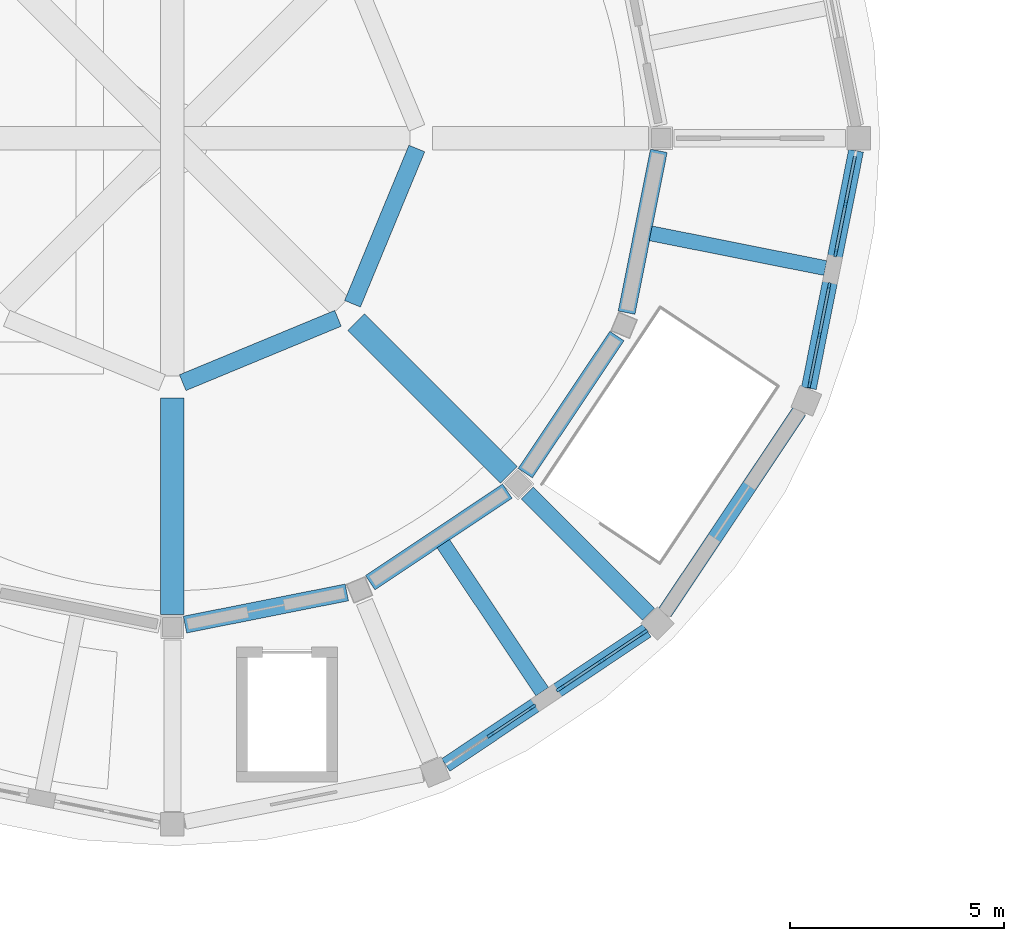
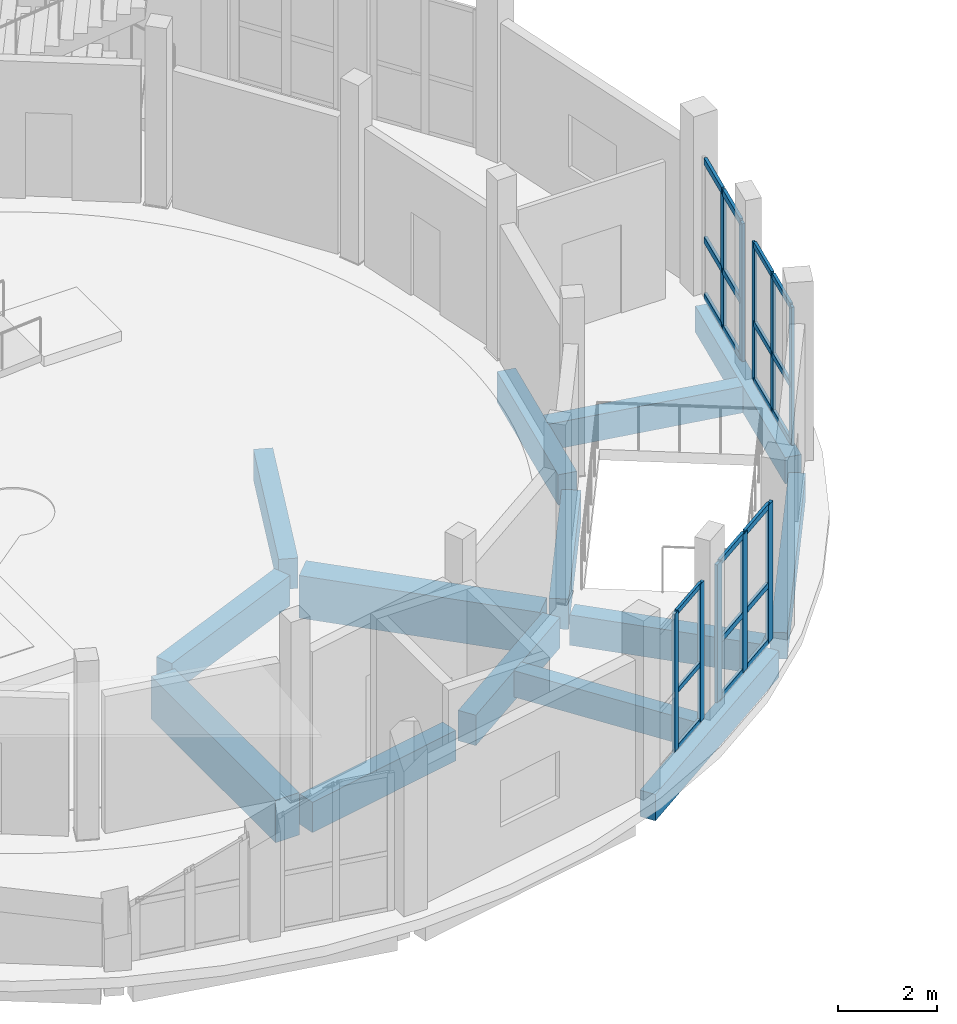
# One storey, part 38 of 92: 31 members, 14 beams, 4 elements without a shape of their own.
"""IFC4 building model written with IfcOpenShell, lengths in metres."""

from ifc_helpers import new_model, si_unit, direction, frame, origin, origin_2d, place, context, subcontext, project, spatial, rectangle, extrude, material, layer, layer_set, material_profile, profile_set, type_object, element, aggregate, save


model = new_model("IFC4")

# Units and contexts
model_context = context("Model", 3, precision=1e-05, world=origin(), true_north=direction((0.0, 1.0)))
body_context = subcontext(model_context, "Body", "Model", "MODEL_VIEW")
ifc_project = project(units=[si_unit("LENGTHUNIT", "METRE"), si_unit("AREAUNIT", "SQUARE_METRE"), si_unit("VOLUMEUNIT", "CUBIC_METRE"), si_unit("PLANEANGLEUNIT", "RADIAN"), si_unit("MASSUNIT", "GRAM", prefix="KILO")], contexts=[model_context])

# Site, building, storey
site_placement = place(None, origin())
site = spatial("IfcSite", under=ifc_project, at=site_placement, CompositionType="ELEMENT")
building_placement = place(site_placement, origin())
building = spatial("IfcBuilding", under=site, at=building_placement, Name="Caldaven Crescent School", CompositionType="ELEMENT")
storey_placement = place(building_placement, origin())
storey = spatial("IfcBuildingStorey", under=building, at=storey_placement, Name="L00", CompositionType="ELEMENT", Elevation=0.0)

# Beams
ifc_material_1 = material(Name="Concrete C30/37", Category="concrete")
ifc_material_profile_1 = material_profile(ifc_material_1, rectangle(XDim=0.35009765625, YDim=0.64990234375, at=origin_2d()), Name="RC 350x650")
ifc_profile_set_1 = profile_set([ifc_material_profile_1], Name="Concrete C30/37")
beam_type_1 = type_object("IfcBeamType", Name="BM-RC35", PredefinedType="BEAM", material=ifc_profile_set_1)
beam_1_placement = place(storey_placement, frame((29.8173828125, 89.04541015625, -0.5849609375), z_axis=(0.55555487461, -0.831479874258, 0.0), x_axis=(0.831479874258, 0.55555487461, 0.0)))
element("IfcBeam", 1, at=beam_1_placement, inside=storey, type_object=beam_type_1, Name="JS-V2-L00-0279", PredefinedType="BEAM", context=body_context, shape_type="SweptSolid", body=[
    extrude(rectangle(XDim=0.35009765625, YDim=0.64990234375, at=origin_2d()), origin(), (0.0, 0.0, 1.0), 4.151611328125),
])
beam_2_placement = place(storey_placement, frame((34.65234375, 96.28173828125, -0.5849609375), z_axis=(0.980781447665, -0.195109589505, 0.0), x_axis=(0.195109589505, 0.980781447665, 0.0)))
element("IfcBeam", 2, at=beam_2_placement, inside=storey, type_object=beam_type_1, Name="JS-V2-L00-0287", PredefinedType="BEAM", context=body_context, shape_type="SweptSolid", body=[
    extrude(rectangle(XDim=0.35009765625, YDim=0.64990234375, at=origin_2d()), origin(), (0.0, 0.0, 1.0), 4.15185546875),
])
ifc_material_2 = material(Name="Concrete C35/45", Category="concrete")
ifc_material_profile_2 = material_profile(ifc_material_2, rectangle(XDim=0.39990234375, YDim=0.75, at=origin_2d()), Name="RC 400x750")
ifc_profile_set_2 = profile_set([ifc_material_profile_2], Name="Concrete C35/45")
beam_type_2 = type_object("IfcBeamType", Name="BM-RC40", PredefinedType="BEAM", material=ifc_profile_set_2)
beam_3_placement = place(storey_placement, frame((23.740234375, 92.799560546875, -0.635009765625), z_axis=(0.923883966899, 0.382672726631, 0.0), x_axis=(-0.382672726631, 0.923883966899, 0.0)))
element("IfcBeam", 3, at=beam_3_placement, inside=storey, type_object=beam_type_2, Name="BM-V2-L00-0271", PredefinedType="BEAM", context=body_context, shape_type="SweptSolid", body=[
    extrude(rectangle(XDim=0.39990234375, YDim=0.75, at=origin_2d()), origin(), (0.0, 0.0, 1.0), 3.919189453125),
])
beam_4_placement = place(storey_placement, frame((23.794189453125, 87.158447265625, -0.635009765625), z_axis=(0.980785113937, 0.195091158895, 0.0), x_axis=(-0.195091158895, 0.980785113937, 0.0)))
element("IfcBeam", 4, at=beam_4_placement, inside=storey, type_object=beam_type_2, Name="BM-V2-L00-0274", PredefinedType="BEAM", context=body_context, shape_type="SweptSolid", body=[
    extrude(rectangle(XDim=0.39990234375, YDim=0.75, at=origin_2d()), origin(), (0.0, 0.0, 1.0), 3.84814453125),
])
beam_5_placement = place(storey_placement, frame((28.112060546875, 88.134521484375, -0.635009765625), z_axis=(0.831483711162, 0.555549132006, 0.0), x_axis=(-0.555549132006, 0.831483711162, 0.0)))
element("IfcBeam", 5, at=beam_5_placement, inside=storey, type_object=beam_type_2, Name="BM-V2-L00-0277", PredefinedType="BEAM", context=body_context, shape_type="SweptSolid", body=[
    extrude(rectangle(XDim=0.39990234375, YDim=0.75, at=origin_2d()), origin(), (0.0, 0.0, 1.0), 3.847900390625),
])
beam_6_placement = place(storey_placement, frame((27.70068359375, 94.638916015625, -0.635009765625), z_axis=(0.382672726631, 0.923883966899, 0.0), x_axis=(-0.923883966899, 0.382672726631, 0.0)))
element("IfcBeam", 6, at=beam_6_placement, inside=storey, type_object=beam_type_2, Name="BM-V2-L00-0280", PredefinedType="BEAM", context=body_context, shape_type="SweptSolid", body=[
    extrude(rectangle(XDim=0.39990234375, YDim=0.75, at=origin_2d()), origin(), (0.0, 0.0, 1.0), 3.919189453125),
])
beam_7_placement = place(storey_placement, frame((31.773193359375, 90.226806640625, -0.635009765625), z_axis=(0.707106781187, -0.707106781187, 0.0), x_axis=(0.707106781187, 0.707106781187, 0.0)))
element("IfcBeam", 7, at=beam_7_placement, inside=storey, type_object=beam_type_2, Name="BM-V2-L00-0282", PredefinedType="BEAM", context=body_context, shape_type="SweptSolid", body=[
    extrude(rectangle(XDim=0.39990234375, YDim=0.75, at=origin_2d()), origin(), (0.0, 0.0, 1.0), 4.0),
])
beam_8_placement = place(storey_placement, frame((31.727783203125, 90.6884765625, -0.635009765625), z_axis=(0.555549132006, 0.831483711162, 0.0), x_axis=(-0.831483711162, 0.555549132006, 0.0)))
element("IfcBeam", 8, at=beam_8_placement, inside=storey, type_object=beam_type_2, Name="BM-V2-L00-0283", PredefinedType="BEAM", context=body_context, shape_type="SweptSolid", body=[
    extrude(rectangle(XDim=0.39990234375, YDim=0.75, at=origin_2d()), origin(), (0.0, 0.0, 1.0), 3.847900390625),
])
beam_9_placement = place(storey_placement, frame((34.0908203125, 94.431640625, -0.635009765625), z_axis=(0.195091158895, 0.980785113937, 0.0), x_axis=(-0.980785113937, 0.195091158895, 0.0)))
element("IfcBeam", 9, at=beam_9_placement, inside=storey, type_object=beam_type_2, Name="BM-V2-L00-0285", PredefinedType="BEAM", context=body_context, shape_type="SweptSolid", body=[
    extrude(rectangle(XDim=0.39990234375, YDim=0.75, at=origin_2d()), origin(), (0.0, 0.0, 1.0), 3.84814453125),
])
ifc_material_profile_3 = material_profile(ifc_material_2, rectangle(XDim=0.550048828125, YDim=1.050048828125, at=origin_2d()), Name="RC 550x1050")
ifc_profile_set_3 = profile_set([ifc_material_profile_3], Name="Concrete C35/45")
beam_type_3 = type_object("IfcBeamType", Name="BM-RC55", PredefinedType="BEAM", material=ifc_profile_set_3)
beam_10_placement = place(storey_placement, frame((23.5, 92.43994140625, -0.784912109375), z_axis=(0.0, -1.0, 0.0), x_axis=(1.0, 0.0, 0.0)))
element("IfcBeam", 10, at=beam_10_placement, inside=storey, type_object=beam_type_3, Name="BM-V2-L00-0272", PredefinedType="BEAM", context=body_context, shape_type="SweptSolid", body=[
    extrude(rectangle(XDim=0.550048828125, YDim=1.050048828125, at=origin_2d()), origin(), (0.0, 0.0, 1.0), 5.0400390625),
])
beam_11_placement = place(storey_placement, frame((27.78515625, 94.21484375, -0.784912109375), z_axis=(0.707106781187, -0.707106781187, 0.0), x_axis=(0.707106781187, 0.707106781187, 0.0)))
element("IfcBeam", 11, at=beam_11_placement, inside=storey, type_object=beam_type_3, Name="BM-V2-L00-0281", PredefinedType="BEAM", context=body_context, shape_type="SweptSolid", body=[
    extrude(rectangle(XDim=0.550048828125, YDim=1.050048828125, at=origin_2d()), origin(), (0.0, 0.0, 1.0), 5.039794921875),
])

# Curtain wall, members
ifc_material_3 = material(Name="Anodised aluminium AA 6063-T6 and low-E double glazing", Category="aluminium")
ifc_layer_1 = layer(ifc_material_3, 0.22998046875)
ifc_layer_set_1 = layer_set([ifc_layer_1], Name="Anodised aluminium AA 6063-T6 and low-E double glazing")
curtain_wall_type_1 = type_object("IfcCurtainWallType", Name="CW-SYS4", PredefinedType="NOTDEFINED", material=ifc_layer_set_1)
curtain_wall_1_placement = place(storey_placement, origin())
curtain_wall_1 = element("IfcCurtainWall", 12, at=curtain_wall_1_placement, inside=storey, type_object=curtain_wall_type_1, Name="CW-L00-055", PredefinedType="NOTDEFINED")
ifc_material_4 = material(Name="Anodised aluminium AA 6063-T6", Category="aluminium")
ifc_material_profile_4 = material_profile(ifc_material_4, rectangle(XDim=0.06005859375, YDim=0.14990234375, at=origin_2d()), Name="CWM 60x150")
ifc_profile_set_4 = profile_set([ifc_material_profile_4], Name="Anodised aluminium AA 6063-T6")
member_type_1 = type_object("IfcMemberType", Name="CWM-T1", PredefinedType="MULLION", material=ifc_profile_set_4)
member_1_placement = place(storey_placement, frame((38.358154296875, 92.759521484375, 0.0), z_axis=(0.0, 0.0, 1.0), x_axis=(-0.980785941636, 0.195086997747, 0.0)))
member_1 = element("IfcMember", 13, at=member_1_placement, type_object=member_type_1, Name="CW4 mullion 1", PredefinedType="MULLION", context=body_context, shape_type="SweptSolid", body=[
    extrude(rectangle(XDim=0.06005859375, YDim=0.14990234375, at=origin_2d()), origin(), (0.0, 0.0, 1.0), 3.39990234375),
])
member_2_placement = place(storey_placement, frame((38.586669921875, 93.90771484375, 0.0), z_axis=(0.0, 0.0, 1.0), x_axis=(-0.980785941636, 0.195086997747, 0.0)))
member_2 = element("IfcMember", 14, at=member_2_placement, type_object=member_type_1, Name="CW4 mullion 2", PredefinedType="MULLION", context=body_context, shape_type="SweptSolid", body=[
    extrude(rectangle(XDim=0.06005859375, YDim=0.14990234375, at=origin_2d()), origin(), (0.0, 0.0, 1.0), 3.39990234375),
])
member_3_placement = place(storey_placement, frame((38.81494140625, 95.055908203125, 0.0), z_axis=(0.0, 0.0, 1.0), x_axis=(-0.980785941636, 0.195086997747, 0.0)))
member_3 = element("IfcMember", 15, at=member_3_placement, type_object=member_type_1, Name="CW4 mullion 3", PredefinedType="MULLION", context=body_context, shape_type="SweptSolid", body=[
    extrude(rectangle(XDim=0.06005859375, YDim=0.14990234375, at=origin_2d()), origin(), (0.0, 0.0, 1.0), 3.39990234375),
])

ifc_layer_2 = layer(ifc_material_3, 0.18994140625)
ifc_layer_set_2 = layer_set([ifc_layer_2], Name="Anodised aluminium AA 6063-T6 and low-E double glazing")
curtain_wall_type_2 = type_object("IfcCurtainWallType", Name="CW-SYS2", PredefinedType="NOTDEFINED", material=ifc_layer_set_2)
curtain_wall_2_placement = place(storey_placement, origin())
curtain_wall_2 = element("IfcCurtainWall", 16, at=curtain_wall_2_placement, inside=storey, type_object=curtain_wall_type_2, Name="CW-L00-053", PredefinedType="NOTDEFINED")
ifc_material_profile_5 = material_profile(ifc_material_4, rectangle(XDim=0.06494140625, YDim=0.179931640625, at=origin_2d()), Name="CWM 65x180")
ifc_profile_set_5 = profile_set([ifc_material_profile_5], Name="Anodised aluminium AA 6063-T6")
member_type_2 = type_object("IfcMemberType", Name="CWM-T2", PredefinedType="MULLION", material=ifc_profile_set_5)
member_4_placement = place(storey_placement, frame((30.920654296875, 84.5849609375, 0.0), z_axis=(0.0, 0.0, 1.0), x_axis=(-0.555569561758, 0.831470060825, 0.0)))
member_4 = element("IfcMember", 17, at=member_4_placement, type_object=member_type_2, Name="CW2 mullion 2", PredefinedType="MULLION", context=body_context, shape_type="SweptSolid", body=[
    extrude(rectangle(XDim=0.06494140625, YDim=0.179931640625, at=origin_2d()), origin(), (0.0, 0.0, 1.0), 3.39990234375),
])
member_5_placement = place(storey_placement, frame((31.891845703125, 85.234130859375, 0.0), z_axis=(0.0, 0.0, 1.0), x_axis=(-0.555569561758, 0.831470060825, 0.0)))
member_5 = element("IfcMember", 18, at=member_5_placement, type_object=member_type_2, Name="CW2 mullion 3", PredefinedType="MULLION", context=body_context, shape_type="SweptSolid", body=[
    extrude(rectangle(XDim=0.06494140625, YDim=0.179931640625, at=origin_2d()), origin(), (0.0, 0.0, 1.0), 3.39990234375),
])

ifc_layer_3 = layer(ifc_material_3, 0.169921875)
ifc_layer_set_3 = layer_set([ifc_layer_3], Name="Anodised aluminium AA 6063-T6 and low-E double glazing")
curtain_wall_type_3 = type_object("IfcCurtainWallType", Name="CW-SYS1", PredefinedType="NOTDEFINED", material=ifc_layer_set_3)
curtain_wall_3_placement = place(storey_placement, origin())
curtain_wall_3 = element("IfcCurtainWall", 19, at=curtain_wall_3_placement, inside=storey, type_object=curtain_wall_type_3, Name="CW-L00-056", PredefinedType="NOTDEFINED")
member_6_placement = place(storey_placement, frame((38.967529296875, 95.823486328125, 0.0), z_axis=(0.0, 0.0, 1.0), x_axis=(-0.980785144861, 0.19509100343, 0.0)))
member_6 = element("IfcMember", 20, at=member_6_placement, type_object=member_type_2, Name="CW1 mullion 1", PredefinedType="MULLION", context=body_context, shape_type="SweptSolid", body=[
    extrude(rectangle(XDim=0.06494140625, YDim=0.179931640625, at=origin_2d()), origin(), (0.0, 0.0, 1.0), 3.39990234375),
])
member_7_placement = place(storey_placement, frame((39.195556640625, 96.96923828125, 0.0), z_axis=(0.0, 0.0, 1.0), x_axis=(-0.980785144861, 0.19509100343, 0.0)))
member_7 = element("IfcMember", 21, at=member_7_placement, type_object=member_type_2, Name="CW1 mullion 2", PredefinedType="MULLION", context=body_context, shape_type="SweptSolid", body=[
    extrude(rectangle(XDim=0.06494140625, YDim=0.179931640625, at=origin_2d()), origin(), (0.0, 0.0, 1.0), 3.39990234375),
])

ifc_layer_4 = layer(ifc_material_3, 0.2099609375)
ifc_layer_set_4 = layer_set([ifc_layer_4], Name="Anodised aluminium AA 6063-T6 and low-E double glazing")
curtain_wall_type_4 = type_object("IfcCurtainWallType", Name="CW-SYS3", PredefinedType="NOTDEFINED", material=ifc_layer_set_4)
curtain_wall_4_placement = place(storey_placement, origin())
curtain_wall_4 = element("IfcCurtainWall", 22, at=curtain_wall_4_placement, inside=storey, type_object=curtain_wall_type_4, Name="CW-L00-054", PredefinedType="NOTDEFINED")
ifc_material_profile_6 = material_profile(ifc_material_4, rectangle(XDim=0.070068359375, YDim=0.2099609375, at=origin_2d()), Name="CWM 70x210")
ifc_profile_set_6 = profile_set([ifc_material_profile_6], Name="Anodised aluminium AA 6063-T6")
member_type_3 = type_object("IfcMemberType", Name="CWM-T3", PredefinedType="MULLION", material=ifc_profile_set_6)
member_8_placement = place(storey_placement, frame((32.546630859375, 85.671630859375, 0.0), z_axis=(0.0, 0.0, 1.0), x_axis=(-0.555572440609, 0.831468137234, 0.0)))
member_8 = element("IfcMember", 23, at=member_8_placement, type_object=member_type_3, Name="CW3 mullion 1", PredefinedType="MULLION", context=body_context, shape_type="SweptSolid", body=[
    extrude(rectangle(XDim=0.070068359375, YDim=0.2099609375, at=origin_2d()), origin(), (0.0, 0.0, 1.0), 3.39990234375),
])
member_9_placement = place(storey_placement, frame((33.51611328125, 86.319091796875, 0.0), z_axis=(0.0, 0.0, 1.0), x_axis=(-0.555572440609, 0.831468137234, 0.0)))
member_9 = element("IfcMember", 24, at=member_9_placement, type_object=member_type_3, Name="CW3 mullion 2", PredefinedType="MULLION", context=body_context, shape_type="SweptSolid", body=[
    extrude(rectangle(XDim=0.070068359375, YDim=0.2099609375, at=origin_2d()), origin(), (0.0, 0.0, 1.0), 3.39990234375),
])
member_10_placement = place(storey_placement, frame((34.4853515625, 86.966796875, 0.0), z_axis=(0.0, 0.0, 1.0), x_axis=(-0.555572440609, 0.831468137234, 0.0)))
member_10 = element("IfcMember", 25, at=member_10_placement, type_object=member_type_3, Name="CW3 mullion 3", PredefinedType="MULLION", context=body_context, shape_type="SweptSolid", body=[
    extrude(rectangle(XDim=0.070068359375, YDim=0.2099609375, at=origin_2d()), origin(), (0.0, 0.0, 1.0), 3.39990234375),
])

# Member
ifc_material_profile_7 = material_profile(ifc_material_4, rectangle(XDim=0.06005859375, YDim=0.1201171875, at=origin_2d()), Name="CWT 60x120")
ifc_profile_set_7 = profile_set([ifc_material_profile_7], Name="Anodised aluminium AA 6063-T6")
member_type_4 = type_object("IfcMemberType", Name="CWT-T1", PredefinedType="USERDEFINED", material=ifc_profile_set_7)
member_11_placement = place(storey_placement, frame((30.94775390625, 84.60302734375, 0.030029296875), z_axis=(0.831402868184, 0.555670109665, 0.0), x_axis=(-0.555670109665, 0.831402868184, 0.0)))
member_11 = element("IfcMember", 26, at=member_11_placement, type_object=member_type_4, Name="CW2 transom 2.1", ObjectType="TRANSOM", PredefinedType="USERDEFINED", context=body_context, shape_type="SweptSolid", body=[
    extrude(rectangle(XDim=0.06005859375, YDim=0.1201171875, at=origin_2d()), origin(), (0.0, 0.0, 1.0), 1.103271484375),
])

member_12_placement = place(storey_placement, frame((30.94775390625, 84.60302734375, 1.427978515625), z_axis=(0.831402868184, 0.555670109665, 0.0), x_axis=(-0.555670109665, 0.831402868184, 0.0)))
member_12 = element("IfcMember", 27, at=member_12_placement, type_object=member_type_4, Name="CW2 transom 2.2", ObjectType="TRANSOM", PredefinedType="USERDEFINED", context=body_context, shape_type="SweptSolid", body=[
    extrude(rectangle(XDim=0.06005859375, YDim=0.1201171875, at=origin_2d()), origin(), (0.0, 0.0, 1.0), 1.103271484375),
])

member_13_placement = place(storey_placement, frame((30.94775390625, 84.60302734375, 3.3701171875), z_axis=(0.831402868184, 0.555670109665, 0.0), x_axis=(-0.555670109665, 0.831402868184, 0.0)))
member_13 = element("IfcMember", 28, at=member_13_placement, type_object=member_type_4, Name="CW2 transom 2.3", ObjectType="TRANSOM", PredefinedType="USERDEFINED", context=body_context, shape_type="SweptSolid", body=[
    extrude(rectangle(XDim=0.06005859375, YDim=0.1201171875, at=origin_2d()), origin(), (0.0, 0.0, 1.0), 1.103271484375),
])

aggregate(curtain_wall_2, [member_4, member_5, member_11, member_12, member_13])

ifc_material_profile_8 = material_profile(ifc_material_4, rectangle(XDim=0.06494140625, YDim=0.139892578125, at=origin_2d()), Name="CWT 65x140")
ifc_profile_set_8 = profile_set([ifc_material_profile_8], Name="Anodised aluminium AA 6063-T6")
member_type_5 = type_object("IfcMemberType", Name="CWT-T2", PredefinedType="USERDEFINED", material=ifc_profile_set_8)
member_14_placement = place(storey_placement, frame((32.575927734375, 85.69091796875, 0.032470703125), z_axis=(0.831364040106, 0.555728200489, 0.0), x_axis=(-0.555728200489, 0.831364040106, 0.0)))
member_14 = element("IfcMember", 29, at=member_14_placement, type_object=member_type_5, Name="CW3 transom 1.1", ObjectType="TRANSOM", PredefinedType="USERDEFINED", context=body_context, shape_type="SweptSolid", body=[
    extrude(rectangle(XDim=0.06494140625, YDim=0.139892578125, at=origin_2d()), origin(), (0.0, 0.0, 1.0), 1.095703125),
])

member_15_placement = place(storey_placement, frame((32.575927734375, 85.69091796875, 1.427978515625), z_axis=(0.831364040106, 0.555728200489, 0.0), x_axis=(-0.555728200489, 0.831364040106, 0.0)))
member_15 = element("IfcMember", 30, at=member_15_placement, type_object=member_type_5, Name="CW3 transom 1.2", ObjectType="TRANSOM", PredefinedType="USERDEFINED", context=body_context, shape_type="SweptSolid", body=[
    extrude(rectangle(XDim=0.06494140625, YDim=0.139892578125, at=origin_2d()), origin(), (0.0, 0.0, 1.0), 1.095703125),
])

member_16_placement = place(storey_placement, frame((32.575927734375, 85.69091796875, 3.367431640625), z_axis=(0.831364040106, 0.555728200489, 0.0), x_axis=(-0.555728200489, 0.831364040106, 0.0)))
member_16 = element("IfcMember", 31, at=member_16_placement, type_object=member_type_5, Name="CW3 transom 1.3", ObjectType="TRANSOM", PredefinedType="USERDEFINED", context=body_context, shape_type="SweptSolid", body=[
    extrude(rectangle(XDim=0.06494140625, YDim=0.139892578125, at=origin_2d()), origin(), (0.0, 0.0, 1.0), 1.095703125),
])

member_17_placement = place(storey_placement, frame((33.545166015625, 86.338623046875, 0.032470703125), z_axis=(0.831432837215, 0.555625266885, 0.0), x_axis=(-0.555625266885, 0.831432837215, 0.0)))
member_17 = element("IfcMember", 32, at=member_17_placement, type_object=member_type_5, Name="CW3 transom 2.1", ObjectType="TRANSOM", PredefinedType="USERDEFINED", context=body_context, shape_type="SweptSolid", body=[
    extrude(rectangle(XDim=0.06494140625, YDim=0.139892578125, at=origin_2d()), origin(), (0.0, 0.0, 1.0), 1.095947265625),
])

member_18_placement = place(storey_placement, frame((33.545166015625, 86.338623046875, 1.427978515625), z_axis=(0.831432837215, 0.555625266885, 0.0), x_axis=(-0.555625266885, 0.831432837215, 0.0)))
member_18 = element("IfcMember", 33, at=member_18_placement, type_object=member_type_5, Name="CW3 transom 2.2", ObjectType="TRANSOM", PredefinedType="USERDEFINED", context=body_context, shape_type="SweptSolid", body=[
    extrude(rectangle(XDim=0.06494140625, YDim=0.139892578125, at=origin_2d()), origin(), (0.0, 0.0, 1.0), 1.095947265625),
])

member_19_placement = place(storey_placement, frame((33.545166015625, 86.338623046875, 3.367431640625), z_axis=(0.831432837215, 0.555625266885, 0.0), x_axis=(-0.555625266885, 0.831432837215, 0.0)))
member_19 = element("IfcMember", 34, at=member_19_placement, type_object=member_type_5, Name="CW3 transom 2.3", ObjectType="TRANSOM", PredefinedType="USERDEFINED", context=body_context, shape_type="SweptSolid", body=[
    extrude(rectangle(XDim=0.06494140625, YDim=0.139892578125, at=origin_2d()), origin(), (0.0, 0.0, 1.0), 1.095947265625),
])

aggregate(curtain_wall_4, [member_8, member_9, member_10, member_14, member_15, member_16, member_17, member_18, member_19])

member_20_placement = place(storey_placement, frame((38.364013671875, 92.7890625, 0.032470703125), z_axis=(0.195186106212, 0.98076622288, 0.0), x_axis=(-0.98076622288, 0.195186106212, 0.0)))
member_20 = element("IfcMember", 35, at=member_20_placement, type_object=member_type_5, Name="CW4 transom 1.1", ObjectType="TRANSOM", PredefinedType="USERDEFINED", context=body_context, shape_type="SweptSolid", body=[
    extrude(rectangle(XDim=0.06494140625, YDim=0.139892578125, at=origin_2d()), origin(), (0.0, 0.0, 1.0), 1.11083984375),
])

member_21_placement = place(storey_placement, frame((38.364013671875, 92.7890625, 1.427978515625), z_axis=(0.195186106212, 0.98076622288, 0.0), x_axis=(-0.98076622288, 0.195186106212, 0.0)))
member_21 = element("IfcMember", 36, at=member_21_placement, type_object=member_type_5, Name="CW4 transom 1.2", ObjectType="TRANSOM", PredefinedType="USERDEFINED", context=body_context, shape_type="SweptSolid", body=[
    extrude(rectangle(XDim=0.06494140625, YDim=0.139892578125, at=origin_2d()), origin(), (0.0, 0.0, 1.0), 1.11083984375),
])

member_22_placement = place(storey_placement, frame((38.364013671875, 92.7890625, 3.367431640625), z_axis=(0.195186106212, 0.98076622288, 0.0), x_axis=(-0.98076622288, 0.195186106212, 0.0)))
member_22 = element("IfcMember", 37, at=member_22_placement, type_object=member_type_5, Name="CW4 transom 1.3", ObjectType="TRANSOM", PredefinedType="USERDEFINED", context=body_context, shape_type="SweptSolid", body=[
    extrude(rectangle(XDim=0.06494140625, YDim=0.139892578125, at=origin_2d()), origin(), (0.0, 0.0, 1.0), 1.11083984375),
])

member_23_placement = place(storey_placement, frame((38.592529296875, 93.937255859375, 0.032470703125), z_axis=(0.194974662451, 0.980808279432, 0.0), x_axis=(-0.980808279432, 0.194974662451, 0.0)))
member_23 = element("IfcMember", 38, at=member_23_placement, type_object=member_type_5, Name="CW4 transom 2.1", ObjectType="TRANSOM", PredefinedType="USERDEFINED", context=body_context, shape_type="SweptSolid", body=[
    extrude(rectangle(XDim=0.06494140625, YDim=0.139892578125, at=origin_2d()), origin(), (0.0, 0.0, 1.0), 1.110595703125),
])

member_24_placement = place(storey_placement, frame((38.592529296875, 93.937255859375, 1.427978515625), z_axis=(0.194974662451, 0.980808279432, 0.0), x_axis=(-0.980808279432, 0.194974662451, 0.0)))
member_24 = element("IfcMember", 39, at=member_24_placement, type_object=member_type_5, Name="CW4 transom 2.2", ObjectType="TRANSOM", PredefinedType="USERDEFINED", context=body_context, shape_type="SweptSolid", body=[
    extrude(rectangle(XDim=0.06494140625, YDim=0.139892578125, at=origin_2d()), origin(), (0.0, 0.0, 1.0), 1.110595703125),
])

member_25_placement = place(storey_placement, frame((38.592529296875, 93.937255859375, 3.367431640625), z_axis=(0.194974662451, 0.980808279432, 0.0), x_axis=(-0.980808279432, 0.194974662451, 0.0)))
member_25 = element("IfcMember", 40, at=member_25_placement, type_object=member_type_5, Name="CW4 transom 2.3", ObjectType="TRANSOM", PredefinedType="USERDEFINED", context=body_context, shape_type="SweptSolid", body=[
    extrude(rectangle(XDim=0.06494140625, YDim=0.139892578125, at=origin_2d()), origin(), (0.0, 0.0, 1.0), 1.110595703125),
])

aggregate(curtain_wall_1, [member_1, member_2, member_3, member_20, member_21, member_22, member_23, member_24, member_25])

ifc_material_profile_9 = material_profile(ifc_material_4, rectangle(XDim=0.070068359375, YDim=0.159912109375, at=origin_2d()), Name="CWT 70x160")
ifc_profile_set_9 = profile_set([ifc_material_profile_9], Name="Anodised aluminium AA 6063-T6")
member_type_6 = type_object("IfcMemberType", Name="CWT-T3", PredefinedType="USERDEFINED", material=ifc_profile_set_9)
member_26_placement = place(storey_placement, frame((38.973876953125, 95.85546875, 0.034912109375), z_axis=(0.195179809092, 0.980767476073, 0.0), x_axis=(-0.980767476073, 0.195179809092, 0.0)))
member_26 = element("IfcMember", 41, at=member_26_placement, type_object=member_type_6, Name="CW1 transom 1.1", ObjectType="TRANSOM", PredefinedType="USERDEFINED", context=body_context, shape_type="SweptSolid", body=[
    extrude(rectangle(XDim=0.070068359375, YDim=0.159912109375, at=origin_2d()), origin(), (0.0, 0.0, 1.0), 1.103271484375),
])

member_27_placement = place(storey_placement, frame((38.973876953125, 95.85546875, 1.427978515625), z_axis=(0.195179809092, 0.980767476073, 0.0), x_axis=(-0.980767476073, 0.195179809092, 0.0)))
member_27 = element("IfcMember", 42, at=member_27_placement, type_object=member_type_6, Name="CW1 transom 1.2", ObjectType="TRANSOM", PredefinedType="USERDEFINED", context=body_context, shape_type="SweptSolid", body=[
    extrude(rectangle(XDim=0.070068359375, YDim=0.159912109375, at=origin_2d()), origin(), (0.0, 0.0, 1.0), 1.103271484375),
])

member_28_placement = place(storey_placement, frame((38.973876953125, 95.85546875, 3.364990234375), z_axis=(0.195179809092, 0.980767476073, 0.0), x_axis=(-0.980767476073, 0.195179809092, 0.0)))
member_28 = element("IfcMember", 43, at=member_28_placement, type_object=member_type_6, Name="CW1 transom 1.3", ObjectType="TRANSOM", PredefinedType="USERDEFINED", context=body_context, shape_type="SweptSolid", body=[
    extrude(rectangle(XDim=0.070068359375, YDim=0.159912109375, at=origin_2d()), origin(), (0.0, 0.0, 1.0), 1.103271484375),
])

member_29_placement = place(storey_placement, frame((39.201904296875, 97.001220703125, 0.034912109375), z_axis=(0.19496693317, 0.980809815902, 0.0), x_axis=(-0.980809815902, 0.19496693317, 0.0)))
member_29 = element("IfcMember", 44, at=member_29_placement, type_object=member_type_6, Name="CW1 transom 2.1", ObjectType="TRANSOM", PredefinedType="USERDEFINED", context=body_context, shape_type="SweptSolid", body=[
    extrude(rectangle(XDim=0.070068359375, YDim=0.159912109375, at=origin_2d()), origin(), (0.0, 0.0, 1.0), 1.103271484375),
])

member_30_placement = place(storey_placement, frame((39.201904296875, 97.001220703125, 1.427978515625), z_axis=(0.19496693317, 0.980809815902, 0.0), x_axis=(-0.980809815902, 0.19496693317, 0.0)))
member_30 = element("IfcMember", 45, at=member_30_placement, type_object=member_type_6, Name="CW1 transom 2.2", ObjectType="TRANSOM", PredefinedType="USERDEFINED", context=body_context, shape_type="SweptSolid", body=[
    extrude(rectangle(XDim=0.070068359375, YDim=0.159912109375, at=origin_2d()), origin(), (0.0, 0.0, 1.0), 1.103271484375),
])

member_31_placement = place(storey_placement, frame((39.201904296875, 97.001220703125, 3.364990234375), z_axis=(0.19496693317, 0.980809815902, 0.0), x_axis=(-0.980809815902, 0.19496693317, 0.0)))
member_31 = element("IfcMember", 46, at=member_31_placement, type_object=member_type_6, Name="CW1 transom 2.3", ObjectType="TRANSOM", PredefinedType="USERDEFINED", context=body_context, shape_type="SweptSolid", body=[
    extrude(rectangle(XDim=0.070068359375, YDim=0.159912109375, at=origin_2d()), origin(), (0.0, 0.0, 1.0), 1.103271484375),
])

aggregate(curtain_wall_3, [member_6, member_7, member_26, member_27, member_28, member_29, member_30, member_31])

# Beams
ifc_material_profile_10 = material_profile(ifc_material_1, rectangle(XDim=0.35009765625, YDim=0.64990234375, at=origin_2d()), Name="RC 350x650")
ifc_profile_set_10 = profile_set([ifc_material_profile_10], Name="Concrete C30/37")
beam_type_4 = type_object("IfcBeamType", Name="SP-RC35", PredefinedType="SPANDREL", material=ifc_profile_set_10)
for number, where, z_axis, x_axis, name in (
    (47, (29.872314453125, 83.884521484375, -0.5849609375), (0.831470752768, 0.555568526189, 0.0), (-0.555568526189, 0.831470752768, 0.0), "BM-V2-L00-0278"),
    (48, (34.98046875, 87.435791015625, -0.5849609375), (0.555568526189, 0.831470752768, 0.0), (-0.831470752768, 0.555568526189, 0.0), "BM-V2-L00-0284"),
    (49, (38.340576171875, 92.67138671875, -0.5849609375), (0.195084309916, 0.980786476265, 0.0), (-0.980786476265, 0.195084309916, 0.0), "BM-V2-L00-0286"),
):
    element("IfcBeam", number, at=place(storey_placement, frame(where, z_axis=z_axis, x_axis=x_axis)), inside=storey, type_object=beam_type_4, Name=name, PredefinedType="SPANDREL", context=body_context, shape_type="SweptSolid", body=[
        extrude(rectangle(XDim=0.35009765625, YDim=0.64990234375, at=origin_2d()), origin(), (0.0, 0.0, 1.0), 5.642822265625),
    ])

save(model, "model.ifc")
